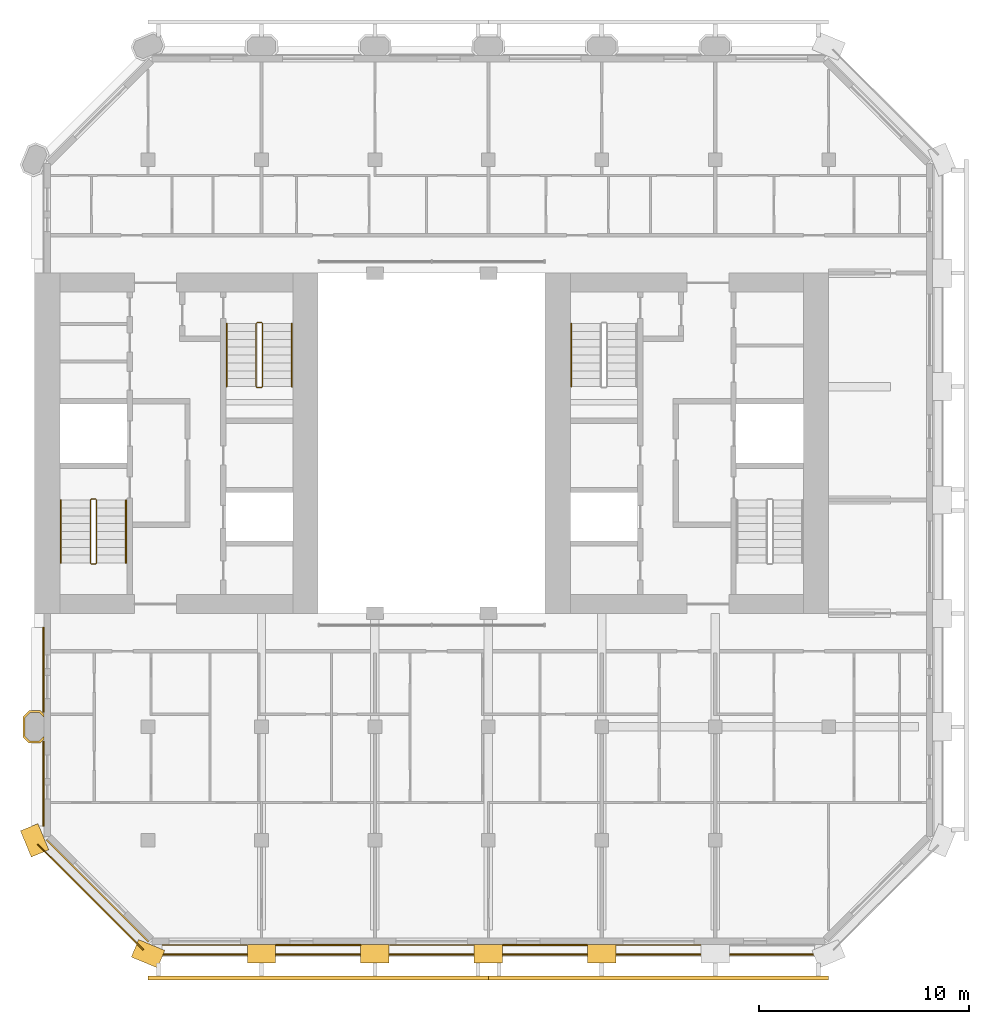
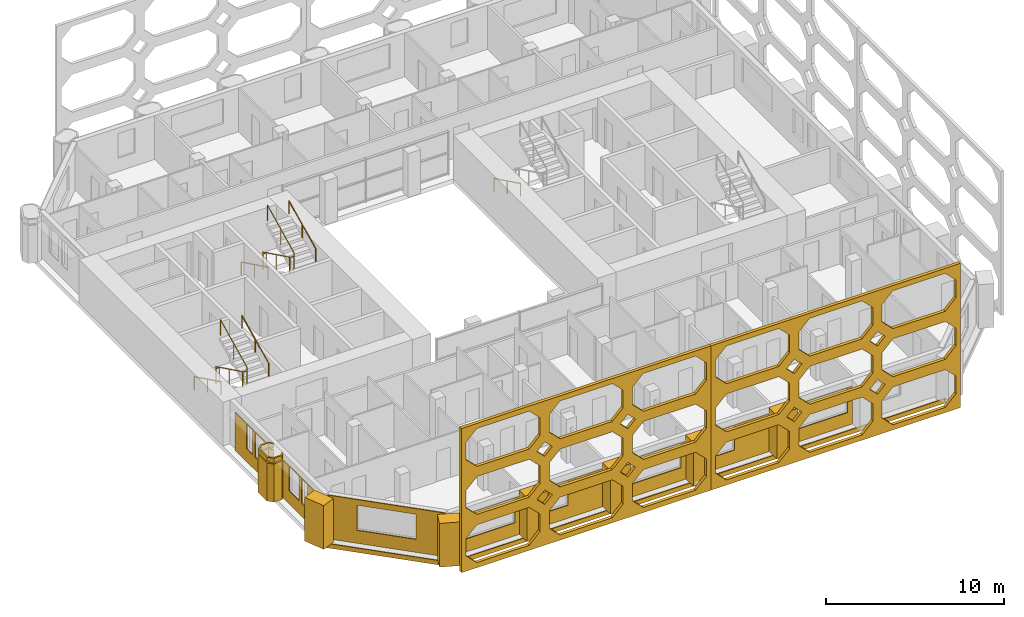
# One storey, part 13 of 15: 20 coverings, 7 railings.
"""IFC4 building model written with IfcOpenShell, lengths in metres."""

from ifc_helpers import new_model, si_unit, direction, frame, frame_2d, origin, origin_2d, place, context, subcontext, project, spatial, polyline, rectangle, circle, outline, extrude, material, layer, layer_set, type_object, element, save


model = new_model("IFC4")

# Units and contexts
model_context = context("Model", 3, precision=1e-05, world=origin(), true_north=direction((0.0, 1.0)))
body_context = subcontext(model_context, "Body", "Model", "MODEL_VIEW")
ifc_project = project(units=[si_unit("LENGTHUNIT", "METRE"), si_unit("AREAUNIT", "SQUARE_METRE"), si_unit("VOLUMEUNIT", "CUBIC_METRE"), si_unit("PLANEANGLEUNIT", "RADIAN"), si_unit("MASSUNIT", "GRAM", prefix="KILO")], contexts=[model_context])

# Site, building, storey
site_placement = place(None, origin())
site = spatial("IfcSite", under=ifc_project, at=site_placement, CompositionType="ELEMENT")
building_placement = place(site_placement, origin())
building = spatial("IfcBuilding", under=site, at=building_placement, Name="Tabaq Tower and Sports Hall", CompositionType="ELEMENT")
storey_placement = place(building_placement, frame((0.0, 0.0, 278.5)))
storey = spatial("IfcBuildingStorey", under=building, at=storey_placement, Name="L68", CompositionType="ELEMENT", Elevation=278.5)

# Coverings
ifc_material_1 = material(Name="Precast concrete C60/75", Category="concrete")
ifc_layer_1 = layer(ifc_material_1, 0.10009765625)
ifc_layer_set_1 = layer_set([ifc_layer_1], Name="Column cladding 100")
covering_type_1 = type_object("IfcCoveringType", Name="Column cladding 100", PredefinedType="CLADDING", material=ifc_layer_set_1)
covering_1_placement = place(storey_placement, origin())
element("IfcCovering", 1, at=covering_1_placement, inside=storey, type_object=covering_type_1, Name="Column cladding L68 PC-2C-R1", PredefinedType="CLADDING", context=body_context, shape_type="SweptSolid", body=[
    extrude(outline(polyline([(5.1337890625, 10.025390625), (4.850341796875, 10.30859375), (4.850341796875, 11.291259765625), (5.1337890625, 11.57470703125), (5.666259765625, 11.57470703125), (5.849609375, 11.391357421875), (5.849609375, 11.250732421875), (5.625244140625, 11.475341796875), (5.1748046875, 11.475341796875), (4.94970703125, 11.250244140625), (4.94970703125, 10.349853515625), (5.1748046875, 10.124755859375), (5.625244140625, 10.124755859375), (5.849609375, 10.349365234375), (5.849609375, 10.208740234375), (5.666259765625, 10.025390625), (5.1337890625, 10.025390625)])), origin(), (0.0, 0.0, 1.0), 2.60009765625),
])
covering_2_placement = place(storey_placement, frame((0.0, 0.0, 2.699951171875)))
element("IfcCovering", 2, at=covering_2_placement, inside=storey, type_object=covering_type_1, Name="Column cladding L68 PC-2C-R1 2", PredefinedType="CLADDING", context=body_context, shape_type="SweptSolid", body=[
    extrude(outline(polyline([(5.1337890625, 10.025390625), (4.850341796875, 10.30859375), (4.850341796875, 11.291259765625), (5.1337890625, 11.57470703125), (5.666259765625, 11.57470703125), (5.849609375, 11.391357421875), (5.849609375, 11.250732421875), (5.625244140625, 11.475341796875), (5.1748046875, 11.475341796875), (4.94970703125, 11.250244140625), (4.94970703125, 10.349853515625), (5.1748046875, 10.124755859375), (5.625244140625, 10.124755859375), (5.849609375, 10.349365234375), (5.849609375, 10.208740234375), (5.666259765625, 10.025390625), (5.1337890625, 10.025390625)])), origin(), (0.0, 0.0, 1.0), 0.300048828125),
])
ifc_material_2 = material(Name="Precast concrete C60/75", Category="concrete")
ifc_layer_2 = layer(ifc_material_2, 0.06005859375)
ifc_layer_set_2 = layer_set([ifc_layer_2], Name="Edge beam cladding 60")
covering_type_2 = type_object("IfcCoveringType", Name="Edge beam cladding 60", PredefinedType="CLADDING", material=ifc_layer_set_2)
covering_3_placement = place(storey_placement, frame((11.0986328125, -0.030029296875, -0.300048828125), z_axis=(0.0, 0.0, 1.0), x_axis=(1.0, 0.0, 0.0)))
element("IfcCovering", 3, at=covering_3_placement, inside=storey, type_object=covering_type_2, Name="Edge beam cladding L68 1", PredefinedType="CLADDING", context=body_context, shape_type="SweptSolid", body=[
    extrude(rectangle(XDim=31.802734375, YDim=0.06005859375, at=frame_2d((15.9013671875, 0.0))), origin(), (0.0, 0.0, 1.0), 0.300048828125),
])
covering_4_placement = place(storey_placement, frame((5.5556640625, 5.201904296875, -0.300048828125), z_axis=(0.0, 0.0, 1.0), x_axis=(0.707106781187, -0.707106781187, 0.0)))
element("IfcCovering", 4, at=covering_4_placement, inside=storey, type_object=covering_type_2, Name="Edge beam cladding L68 5", PredefinedType="CLADDING", context=body_context, shape_type="SweptSolid", body=[
    extrude(rectangle(XDim=7.087890625, YDim=0.06005859375, at=frame_2d((3.5439453125, 0.0))), origin(), (0.0, 0.0, 1.0), 0.300048828125),
])
ifc_material_3 = material(Name="White precast concrete C60/75", Category="concrete")
covering_type_3 = type_object("IfcCoveringType", Name="Pier cladding hung 1350x900", PredefinedType="CLADDING", material=ifc_material_3)
for number, where, z_axis, x_axis, name in (
    (5, (5.1416015625, 6.023681640625, 0.0), (0.0, 0.0, 1.0), (0.382649923473, -0.923893411637, 0.0), "Hung pier cladding 1/1"),
    (6, (10.17626953125, 0.25830078125, 0.0), (0.0, 0.0, 1.0), (0.923893411637, -0.382649923473, 0.0), "Hung pier cladding 2/0"),
    (7, (15.52490234375, 0.0, 0.0), (0.0, 0.0, 1.0), (1.0, 0.0, 0.0), "Hung pier cladding 3/0"),
):
    element("IfcCovering", number, at=place(storey_placement, frame(where, z_axis=z_axis, x_axis=x_axis)), inside=storey, type_object=covering_type_3, Name=name, PredefinedType="CLADDING", context=body_context, shape_type="SweptSolid", body=[
        extrude(rectangle(XDim=1.35009765625, YDim=0.89990234375, at=frame_2d((0.675048828125, 0.0))), origin(), (0.0, 0.0, 1.0), 3.0),
    ])
covering_5_placement = place(storey_placement, frame((20.925048828125, 0.0, 0.0), z_axis=(0.0, 0.0, 1.0), x_axis=(1.0, 0.0, 0.0)))
element("IfcCovering", 8, at=covering_5_placement, inside=storey, type_object=covering_type_3, Name="Hung pier cladding 4/0", PredefinedType="CLADDING", context=body_context, shape_type="SweptSolid", body=[
    extrude(rectangle(XDim=1.349853515625, YDim=0.89990234375, at=frame_2d((0.6748046875, 0.0))), origin(), (0.0, 0.0, 1.0), 3.0),
])
covering_6_placement = place(storey_placement, frame((26.324951171875, 0.0, 0.0), z_axis=(0.0, 0.0, 1.0), x_axis=(1.0, 0.0, 0.0)))
element("IfcCovering", 9, at=covering_6_placement, inside=storey, type_object=covering_type_3, Name="Hung pier cladding 5/0", PredefinedType="CLADDING", context=body_context, shape_type="SweptSolid", body=[
    extrude(rectangle(XDim=1.35009765625, YDim=0.89990234375, at=frame_2d((0.675048828125, 0.0))), origin(), (0.0, 0.0, 1.0), 3.0),
])
covering_7_placement = place(storey_placement, frame((31.72509765625, 0.0, 0.0), z_axis=(0.0, 0.0, 1.0), x_axis=(1.0, 0.0, 0.0)))
element("IfcCovering", 10, at=covering_7_placement, inside=storey, type_object=covering_type_3, Name="Hung pier cladding 6/0", PredefinedType="CLADDING", context=body_context, shape_type="SweptSolid", body=[
    extrude(rectangle(XDim=1.349853515625, YDim=0.89990234375, at=frame_2d((0.6748046875, 0.0))), origin(), (0.0, 0.0, 1.0), 3.0),
])

# Railings
ifc_material_4 = material(Name="Stainless steel", Category="steel")
railing_type_1 = type_object("IfcRailingType", Name="Stair guard", PredefinedType="GUARDRAIL", material=ifc_material_4)
railing_1_placement = place(storey_placement, frame((8.300048828125, 21.64990234375, 0.0)))
element("IfcRailing", 11, at=railing_1_placement, inside=storey, type_object=railing_type_1, Name="L68 ST1 stair guard 1", PredefinedType="GUARDRAIL", context=body_context, shape_type="SweptSolid", body=[
    extrude(circle(Radius=0.02392578125, at=origin_2d()), frame((0.0, 0.0, 1.076171875), z_axis=(-1.0, 0.0, 0.0), x_axis=(0.0, -1.0, 0.0)), (0.0, 0.0, 1.0), 0.199951171875),
    extrude(circle(Radius=0.02392578125, at=origin_2d()), frame((-0.199951171875, 0.0, 1.076171875), z_axis=(-0.254733673405, -0.25349107012, 0.933195066962), x_axis=(0.705375805398, -0.708833529934, 0.0)), (0.0, 0.0, 1.0), 0.196533203125),
    extrude(circle(Radius=0.02392578125, at=origin_2d()), frame((-0.25, -0.0498046875, 1.25927734375), z_axis=(0.0, -0.898397823093, 0.439182594671), x_axis=(1.0, 0.0, 0.0)), (0.0, 0.0, 1.0), 3.33935546875),
    extrude(circle(Radius=0.02392578125, at=origin_2d()), frame((-0.25, -3.0498046875, 2.72607421875), z_axis=(0.707106781187, -0.707106781187, 0.0), x_axis=(0.707106781187, 0.707106781187, 0.0)), (0.0, 0.0, 1.0), 0.07080078125),
    extrude(circle(Radius=0.02392578125, at=origin_2d()), frame((-0.199951171875, -3.099853515625, 2.72607421875), z_axis=(1.0, 0.0, 0.0), x_axis=(0.0, 1.0, 0.0)), (0.0, 0.0, 1.0), 0.199951171875),
    extrude(circle(Radius=0.02392578125, at=origin_2d()), frame((0.0, -3.099853515625, 2.72607421875), z_axis=(0.254653276557, 0.254653276557, 0.932900539971), x_axis=(-0.707106781187, 0.707106781187, 0.0)), (0.0, 0.0, 1.0), 0.196533203125),
    extrude(circle(Radius=0.02392578125, at=origin_2d()), frame((0.050048828125, -3.0498046875, 2.9091796875), z_axis=(0.0, 0.898368975038, 0.439241601728), x_axis=(-1.0, 0.0, 0.0)), (0.0, 0.0, 1.0), 3.33935546875),
    extrude(circle(Radius=0.02099609375, at=origin_2d()), origin(), (0.0, 0.0, 1.0), 1.052001953125),
    extrude(circle(Radius=0.02099609375, at=origin_2d()), frame((-0.199951171875, 0.0, 0.0)), (0.0, 0.0, 1.0), 1.052001953125),
    extrude(circle(Radius=0.02099609375, at=origin_2d()), frame((-0.25, -0.0498046875, 0.183349609375)), (0.0, 0.0, 1.0), 1.052001953125),
    extrude(circle(Radius=0.02099609375, at=origin_2d()), frame((-0.25, -1.5498046875, 0.91650390625)), (0.0, 0.0, 1.0), 1.052001953125),
    extrude(circle(Radius=0.02099609375, at=origin_2d()), frame((-0.25, -3.0498046875, 1.64990234375)), (0.0, 0.0, 1.0), 1.052001953125),
    extrude(circle(Radius=0.02099609375, at=origin_2d()), frame((-0.199951171875, -3.099853515625, 1.64990234375)), (0.0, 0.0, 1.0), 1.052001953125),
    extrude(circle(Radius=0.02099609375, at=origin_2d()), frame((0.0, -3.099853515625, 1.64990234375)), (0.0, 0.0, 1.0), 1.052001953125),
    extrude(circle(Radius=0.02099609375, at=origin_2d()), frame((0.050048828125, -3.0498046875, 1.833251953125)), (0.0, 0.0, 1.0), 1.052001953125),
    extrude(circle(Radius=0.02099609375, at=origin_2d()), frame((0.050048828125, -1.5498046875, 2.566650390625)), (0.0, 0.0, 1.0), 1.052001953125),
    extrude(circle(Radius=0.02099609375, at=origin_2d()), frame((0.050048828125, -0.0498046875, 3.300048828125)), (0.0, 0.0, 1.0), 1.052001953125),
])
railing_2_placement = place(storey_placement, frame((16.199951171875, 30.050048828125, 0.0)))
element("IfcRailing", 12, at=railing_2_placement, inside=storey, type_object=railing_type_1, Name="L68 ST2 stair guard 1", PredefinedType="GUARDRAIL", context=body_context, shape_type="SweptSolid", body=[
    extrude(circle(Radius=0.02392578125, at=origin_2d()), frame((0.0, 0.0, 1.076171875), z_axis=(-1.0, 0.0, 0.0), x_axis=(0.0, -1.0, 0.0)), (0.0, 0.0, 1.0), 0.199951171875),
    extrude(circle(Radius=0.02392578125, at=origin_2d()), frame((-0.199951171875, 0.0, 1.076171875), z_axis=(-0.254653276557, -0.254653276557, 0.932900539971), x_axis=(0.707106781187, -0.707106781187, 0.0)), (0.0, 0.0, 1.0), 0.196533203125),
    extrude(circle(Radius=0.02392578125, at=origin_2d()), frame((-0.25, -0.050048828125, 1.25927734375), z_axis=(0.0, -0.898397823093, 0.439182594671), x_axis=(1.0, 0.0, 0.0)), (0.0, 0.0, 1.0), 3.33935546875),
    extrude(circle(Radius=0.02392578125, at=origin_2d()), frame((-0.25, -3.050048828125, 2.72607421875), z_axis=(0.707106781187, -0.707106781187, 0.0), x_axis=(0.707106781187, 0.707106781187, 0.0)), (0.0, 0.0, 1.0), 0.07080078125),
    extrude(circle(Radius=0.02392578125, at=origin_2d()), frame((-0.199951171875, -3.10009765625, 2.72607421875), z_axis=(1.0, 0.0, 0.0), x_axis=(0.0, 1.0, 0.0)), (0.0, 0.0, 1.0), 0.199951171875),
    extrude(circle(Radius=0.02392578125, at=origin_2d()), frame((0.0, -3.10009765625, 2.72607421875), z_axis=(0.254653276557, 0.254653276557, 0.932900539971), x_axis=(-0.707106781187, 0.707106781187, 0.0)), (0.0, 0.0, 1.0), 0.196533203125),
    extrude(circle(Radius=0.02392578125, at=origin_2d()), frame((0.050048828125, -3.050048828125, 2.9091796875), z_axis=(0.0, 0.898368975038, 0.439241601728), x_axis=(-1.0, 0.0, 0.0)), (0.0, 0.0, 1.0), 3.33935546875),
    extrude(circle(Radius=0.02099609375, at=origin_2d()), origin(), (0.0, 0.0, 1.0), 1.052001953125),
    extrude(circle(Radius=0.02099609375, at=origin_2d()), frame((-0.199951171875, 0.0, 0.0)), (0.0, 0.0, 1.0), 1.052001953125),
    extrude(circle(Radius=0.02099609375, at=origin_2d()), frame((-0.25, -0.050048828125, 0.183349609375)), (0.0, 0.0, 1.0), 1.052001953125),
    extrude(circle(Radius=0.02099609375, at=origin_2d()), frame((-0.25, -1.550048828125, 0.91650390625)), (0.0, 0.0, 1.0), 1.052001953125),
    extrude(circle(Radius=0.02099609375, at=origin_2d()), frame((-0.25, -3.050048828125, 1.64990234375)), (0.0, 0.0, 1.0), 1.052001953125),
    extrude(circle(Radius=0.02099609375, at=origin_2d()), frame((-0.199951171875, -3.10009765625, 1.64990234375)), (0.0, 0.0, 1.0), 1.052001953125),
    extrude(circle(Radius=0.02099609375, at=origin_2d()), frame((0.0, -3.10009765625, 1.64990234375)), (0.0, 0.0, 1.0), 1.052001953125),
    extrude(circle(Radius=0.02099609375, at=origin_2d()), frame((0.050048828125, -3.050048828125, 1.833251953125)), (0.0, 0.0, 1.0), 1.052001953125),
    extrude(circle(Radius=0.02099609375, at=origin_2d()), frame((0.050048828125, -1.550048828125, 2.566650390625)), (0.0, 0.0, 1.0), 1.052001953125),
    extrude(circle(Radius=0.02099609375, at=origin_2d()), frame((0.050048828125, -0.050048828125, 3.300048828125)), (0.0, 0.0, 1.0), 1.052001953125),
])
ifc_material_5 = material(Name="Stainless steel", Category="steel")
railing_type_2 = type_object("IfcRailingType", Name="Stair handrail", PredefinedType="HANDRAIL", material=ifc_material_5)
railing_3_placement = place(storey_placement, frame((6.64990234375, 21.60009765625, 0.183349609375)))
element("IfcRailing", 13, at=railing_3_placement, inside=storey, type_object=railing_type_2, Name="L68 ST1 stair handrail 1", PredefinedType="HANDRAIL", context=body_context, shape_type="SweptSolid", body=[
    extrude(circle(Radius=0.02392578125, at=origin_2d()), frame((0.0, 0.0, 0.8759765625), z_axis=(0.0, -0.898397823093, 0.439182594671), x_axis=(1.0, 0.0, 0.0)), (0.0, 0.0, 1.0), 3.33935546875),
    extrude(circle(Radius=0.02099609375, at=origin_2d()), origin(), (0.0, 0.0, 1.0), 0.851806640625),
    extrude(circle(Radius=0.02099609375, at=origin_2d()), frame((0.0, -1.5, 0.7333984375)), (0.0, 0.0, 1.0), 0.851806640625),
    extrude(circle(Radius=0.02099609375, at=origin_2d()), frame((0.0, -3.0, 1.466552734375)), (0.0, 0.0, 1.0), 0.851806640625),
])
railing_4_placement = place(storey_placement, frame((9.75, 18.60009765625, 1.833251953125)))
element("IfcRailing", 14, at=railing_4_placement, inside=storey, type_object=railing_type_2, Name="L68 ST1 stair handrail 2", PredefinedType="HANDRAIL", context=body_context, shape_type="SweptSolid", body=[
    extrude(circle(Radius=0.02392578125, at=origin_2d()), frame((0.0, 0.0, 0.8759765625), z_axis=(0.0, 0.898368975038, 0.439241601728), x_axis=(-1.0, 0.0, 0.0)), (0.0, 0.0, 1.0), 3.33935546875),
    extrude(circle(Radius=0.02099609375, at=origin_2d()), origin(), (0.0, 0.0, 1.0), 0.851806640625),
    extrude(circle(Radius=0.02099609375, at=origin_2d()), frame((0.0, 1.5, 0.7333984375)), (0.0, 0.0, 1.0), 0.851806640625),
    extrude(circle(Radius=0.02099609375, at=origin_2d()), frame((0.0, 3.0, 1.466796875)), (0.0, 0.0, 1.0), 0.851806640625),
])
railing_5_placement = place(storey_placement, frame((14.550048828125, 30.0, 0.183349609375)))
element("IfcRailing", 15, at=railing_5_placement, inside=storey, type_object=railing_type_2, Name="L68 ST2 stair handrail 1", PredefinedType="HANDRAIL", context=body_context, shape_type="SweptSolid", body=[
    extrude(circle(Radius=0.02392578125, at=origin_2d()), frame((0.0, 0.0, 0.8759765625), z_axis=(0.0, -0.898397823093, 0.439182594671), x_axis=(1.0, 0.0, 0.0)), (0.0, 0.0, 1.0), 3.33935546875),
    extrude(circle(Radius=0.02099609375, at=origin_2d()), origin(), (0.0, 0.0, 1.0), 0.851806640625),
    extrude(circle(Radius=0.02099609375, at=origin_2d()), frame((0.0, -1.5, 0.7333984375)), (0.0, 0.0, 1.0), 0.851806640625),
    extrude(circle(Radius=0.02099609375, at=origin_2d()), frame((0.0, -3.0, 1.466552734375)), (0.0, 0.0, 1.0), 0.851806640625),
])
railing_6_placement = place(storey_placement, frame((17.64990234375, 27.0, 1.833251953125)))
element("IfcRailing", 16, at=railing_6_placement, inside=storey, type_object=railing_type_2, Name="L68 ST2 stair handrail 2", PredefinedType="HANDRAIL", context=body_context, shape_type="SweptSolid", body=[
    extrude(circle(Radius=0.02392578125, at=origin_2d()), frame((0.0, 0.0, 0.8759765625), z_axis=(0.0, 0.898368975038, 0.439241601728), x_axis=(-1.0, 0.0, 0.0)), (0.0, 0.0, 1.0), 3.33935546875),
    extrude(circle(Radius=0.02099609375, at=origin_2d()), origin(), (0.0, 0.0, 1.0), 0.851806640625),
    extrude(circle(Radius=0.02099609375, at=origin_2d()), frame((0.0, 1.5, 0.7333984375)), (0.0, 0.0, 1.0), 0.851806640625),
    extrude(circle(Radius=0.02099609375, at=origin_2d()), frame((0.0, 3.0, 1.466796875)), (0.0, 0.0, 1.0), 0.851806640625),
])
railing_7_placement = place(storey_placement, frame((30.949951171875, 30.0, 0.183349609375)))
element("IfcRailing", 17, at=railing_7_placement, inside=storey, type_object=railing_type_2, Name="L68 ST4 stair handrail 1", PredefinedType="HANDRAIL", context=body_context, shape_type="SweptSolid", body=[
    extrude(circle(Radius=0.02392578125, at=origin_2d()), frame((0.0, 0.0, 0.8759765625), z_axis=(0.0, -0.898397823093, 0.439182594671), x_axis=(1.0, 0.0, 0.0)), (0.0, 0.0, 1.0), 3.33935546875),
    extrude(circle(Radius=0.02099609375, at=origin_2d()), origin(), (0.0, 0.0, 1.0), 0.851806640625),
    extrude(circle(Radius=0.02099609375, at=origin_2d()), frame((0.0, -1.5, 0.7333984375)), (0.0, 0.0, 1.0), 0.851806640625),
    extrude(circle(Radius=0.02099609375, at=origin_2d()), frame((0.0, -3.0, 1.466552734375)), (0.0, 0.0, 1.0), 0.851806640625),
])

# Coverings
ifc_material_6 = material(Name="White precast concrete C60/75 pierced screen", Category="concrete")
ifc_layer_3 = layer(ifc_material_6, 0.199951171875)
ifc_layer_set_3 = layer_set([ifc_layer_3], Name="TRACERY SCREEN 200 C60/75")
covering_type_4 = type_object("IfcCoveringType", Name="TRACERY SCREEN 200 C60/75", PredefinedType="CLADDING", material=ifc_layer_set_3)
covering_8_placement = place(storey_placement, frame((10.800048828125, -1.14990234375, 0.0), z_axis=(0.0, 0.0, 1.0), x_axis=(1.0, 0.0, 0.0)))
element("IfcCovering", 18, at=covering_8_placement, inside=storey, type_object=covering_type_4, Name="Tracery screen R1 S L68-L70", PredefinedType="CLADDING", context=body_context, shape_type="SweptSolid", body=[
    extrude(outline(polyline([(0.0, 0.0), (16.199951171875, 0.0), (16.199951171875, 9.89990234375), (0.0, 9.89990234375), (0.0, 0.0)]), holes=[polyline([(1.0, 0.35009765625), (4.39990234375, 0.35009765625), (5.10009765625, 1.050048828125), (5.10009765625, 2.25), (4.39990234375, 2.949951171875), (1.0, 2.949951171875), (0.300048828125, 2.25), (0.300048828125, 1.050048828125), (1.0, 0.35009765625)]), polyline([(6.39990234375, 0.35009765625), (9.800048828125, 0.35009765625), (10.5, 1.050048828125), (10.5, 2.25), (9.800048828125, 2.949951171875), (6.39990234375, 2.949951171875), (5.699951171875, 2.25), (5.699951171875, 1.050048828125), (6.39990234375, 0.35009765625)]), polyline([(11.800048828125, 0.35009765625), (15.199951171875, 0.35009765625), (15.89990234375, 1.050048828125), (15.89990234375, 2.25), (15.199951171875, 2.949951171875), (11.800048828125, 2.949951171875), (11.10009765625, 2.25), (11.10009765625, 1.050048828125), (11.800048828125, 0.35009765625)]), polyline([(1.0, 3.64990234375), (4.39990234375, 3.64990234375), (5.10009765625, 4.35009765625), (5.10009765625, 5.550048828125), (4.39990234375, 6.25), (1.0, 6.25), (0.300048828125, 5.550048828125), (0.300048828125, 4.35009765625), (1.0, 3.64990234375)]), polyline([(6.39990234375, 3.64990234375), (9.800048828125, 3.64990234375), (10.5, 4.35009765625), (10.5, 5.550048828125), (9.800048828125, 6.25), (6.39990234375, 6.25), (5.699951171875, 5.550048828125), (5.699951171875, 4.35009765625), (6.39990234375, 3.64990234375)]), polyline([(11.800048828125, 3.64990234375), (15.199951171875, 3.64990234375), (15.89990234375, 4.35009765625), (15.89990234375, 5.550048828125), (15.199951171875, 6.25), (11.800048828125, 6.25), (11.10009765625, 5.550048828125), (11.10009765625, 4.35009765625), (11.800048828125, 3.64990234375)]), polyline([(1.0, 6.949951171875), (4.39990234375, 6.949951171875), (5.10009765625, 7.64990234375), (5.10009765625, 8.85009765625), (4.39990234375, 9.550048828125), (1.0, 9.550048828125), (0.300048828125, 8.85009765625), (0.300048828125, 7.64990234375), (1.0, 6.949951171875)]), polyline([(6.39990234375, 6.949951171875), (9.800048828125, 6.949951171875), (10.5, 7.64990234375), (10.5, 8.85009765625), (9.800048828125, 9.550048828125), (6.39990234375, 9.550048828125), (5.699951171875, 8.85009765625), (5.699951171875, 7.64990234375), (6.39990234375, 6.949951171875)]), polyline([(11.800048828125, 6.949951171875), (15.199951171875, 6.949951171875), (15.89990234375, 7.64990234375), (15.89990234375, 8.85009765625), (15.199951171875, 9.550048828125), (11.800048828125, 9.550048828125), (11.10009765625, 8.85009765625), (11.10009765625, 7.64990234375), (11.800048828125, 6.949951171875)]), polyline([(5.89990234375, 3.300048828125), (5.39990234375, 3.800048828125), (4.89990234375, 3.300048828125), (5.39990234375, 2.800048828125), (5.89990234375, 3.300048828125)]), polyline([(11.300048828125, 3.300048828125), (10.800048828125, 3.800048828125), (10.300048828125, 3.300048828125), (10.800048828125, 2.800048828125), (11.300048828125, 3.300048828125)]), polyline([(5.89990234375, 6.60009765625), (5.39990234375, 7.10009765625), (4.89990234375, 6.60009765625), (5.39990234375, 6.10009765625), (5.89990234375, 6.60009765625)]), polyline([(11.300048828125, 6.60009765625), (10.800048828125, 7.10009765625), (10.300048828125, 6.60009765625), (10.800048828125, 6.10009765625), (11.300048828125, 6.60009765625)])]), frame((0.0, 0.10009765625, 0.0), z_axis=(0.0, -1.0, 0.0), x_axis=(1.0, 0.0, 0.0)), (0.0, 0.0, 1.0), 0.199951171875),
])
covering_9_placement = place(storey_placement, frame((27.0, -1.14990234375, 0.0), z_axis=(0.0, 0.0, 1.0), x_axis=(1.0, 0.0, 0.0)))
element("IfcCovering", 19, at=covering_9_placement, inside=storey, type_object=covering_type_4, Name="Tracery screen R1 S L68-L70", PredefinedType="CLADDING", context=body_context, shape_type="SweptSolid", body=[
    extrude(outline(polyline([(0.0, 0.0), (16.199951171875, 0.0), (16.199951171875, 9.89990234375), (0.0, 9.89990234375), (0.0, 0.0)]), holes=[polyline([(1.0, 0.35009765625), (4.39990234375, 0.35009765625), (5.10009765625, 1.050048828125), (5.10009765625, 2.25), (4.39990234375, 2.949951171875), (1.0, 2.949951171875), (0.300048828125, 2.25), (0.300048828125, 1.050048828125), (1.0, 0.35009765625)]), polyline([(6.39990234375, 0.35009765625), (9.800048828125, 0.35009765625), (10.5, 1.050048828125), (10.5, 2.25), (9.800048828125, 2.949951171875), (6.39990234375, 2.949951171875), (5.699951171875, 2.25), (5.699951171875, 1.050048828125), (6.39990234375, 0.35009765625)]), polyline([(11.800048828125, 0.35009765625), (15.199951171875, 0.35009765625), (15.89990234375, 1.050048828125), (15.89990234375, 2.25), (15.199951171875, 2.949951171875), (11.800048828125, 2.949951171875), (11.10009765625, 2.25), (11.10009765625, 1.050048828125), (11.800048828125, 0.35009765625)]), polyline([(1.0, 3.64990234375), (4.39990234375, 3.64990234375), (5.10009765625, 4.35009765625), (5.10009765625, 5.550048828125), (4.39990234375, 6.25), (1.0, 6.25), (0.300048828125, 5.550048828125), (0.300048828125, 4.35009765625), (1.0, 3.64990234375)]), polyline([(6.39990234375, 3.64990234375), (9.800048828125, 3.64990234375), (10.5, 4.35009765625), (10.5, 5.550048828125), (9.800048828125, 6.25), (6.39990234375, 6.25), (5.699951171875, 5.550048828125), (5.699951171875, 4.35009765625), (6.39990234375, 3.64990234375)]), polyline([(11.800048828125, 3.64990234375), (15.199951171875, 3.64990234375), (15.89990234375, 4.35009765625), (15.89990234375, 5.550048828125), (15.199951171875, 6.25), (11.800048828125, 6.25), (11.10009765625, 5.550048828125), (11.10009765625, 4.35009765625), (11.800048828125, 3.64990234375)]), polyline([(1.0, 6.949951171875), (4.39990234375, 6.949951171875), (5.10009765625, 7.64990234375), (5.10009765625, 8.85009765625), (4.39990234375, 9.550048828125), (1.0, 9.550048828125), (0.300048828125, 8.85009765625), (0.300048828125, 7.64990234375), (1.0, 6.949951171875)]), polyline([(6.39990234375, 6.949951171875), (9.800048828125, 6.949951171875), (10.5, 7.64990234375), (10.5, 8.85009765625), (9.800048828125, 9.550048828125), (6.39990234375, 9.550048828125), (5.699951171875, 8.85009765625), (5.699951171875, 7.64990234375), (6.39990234375, 6.949951171875)]), polyline([(11.800048828125, 6.949951171875), (15.199951171875, 6.949951171875), (15.89990234375, 7.64990234375), (15.89990234375, 8.85009765625), (15.199951171875, 9.550048828125), (11.800048828125, 9.550048828125), (11.10009765625, 8.85009765625), (11.10009765625, 7.64990234375), (11.800048828125, 6.949951171875)]), polyline([(5.89990234375, 3.300048828125), (5.39990234375, 3.800048828125), (4.89990234375, 3.300048828125), (5.39990234375, 2.800048828125), (5.89990234375, 3.300048828125)]), polyline([(11.300048828125, 3.300048828125), (10.800048828125, 3.800048828125), (10.300048828125, 3.300048828125), (10.800048828125, 2.800048828125), (11.300048828125, 3.300048828125)]), polyline([(5.89990234375, 6.60009765625), (5.39990234375, 7.10009765625), (4.89990234375, 6.60009765625), (5.39990234375, 6.10009765625), (5.89990234375, 6.60009765625)]), polyline([(11.300048828125, 6.60009765625), (10.800048828125, 7.10009765625), (10.300048828125, 6.60009765625), (10.800048828125, 6.10009765625), (11.300048828125, 6.60009765625)])]), frame((0.0, 0.10009765625, 0.0), z_axis=(0.0, -1.0, 0.0), x_axis=(1.0, 0.0, 0.0)), (0.0, 0.0, 1.0), 0.199951171875),
])
ifc_material_7 = material(Name="Precast concrete C60/75", Category="concrete")
ifc_layer_4 = layer(ifc_material_7, 0.06005859375)
ifc_layer_set_4 = layer_set([ifc_layer_4], Name="White precast cladding panel 60 C60/75")
covering_type_5 = type_object("IfcCoveringType", Name="White precast cladding panel 60 C60/75", PredefinedType="CLADDING", material=ifc_layer_set_4)
covering_10_placement = place(storey_placement, frame((11.465087890625, 0.419921875, 0.0), z_axis=(0.0, 0.0, 1.0), x_axis=(1.0, 0.0, 0.0)))
element("IfcCovering", 20, at=covering_10_placement, inside=storey, type_object=covering_type_5, Name="White precast cladding panel L68 wall00", PredefinedType="CLADDING", context=body_context, shape_type="SweptSolid", body=[
    extrude(outline(polyline([(0.0, 0.0), (4.0498046875, 0.0), (4.0498046875, 2.590087890625), (0.0, 2.590087890625), (0.0, 0.0)]), holes=[polyline([(3.7451171875, 0.889892578125), (0.324951171875, 0.889892578125), (0.324951171875, 2.56005859375), (3.7451171875, 2.56005859375), (3.7451171875, 0.889892578125)])]), frame((0.0, 0.030029296875, 0.0), z_axis=(0.0, -1.0, 0.0), x_axis=(1.0, 0.0, 0.0)), (0.0, 0.0, 1.0), 0.06005859375),
])
covering_11_placement = place(storey_placement, frame((16.885009765625, 0.419921875, 0.0), z_axis=(0.0, 0.0, 1.0), x_axis=(1.0, 0.0, 0.0)))
element("IfcCovering", 21, at=covering_11_placement, inside=storey, type_object=covering_type_5, Name="White precast cladding panel L68 wall00 2", PredefinedType="CLADDING", context=body_context, shape_type="SweptSolid", body=[
    extrude(outline(polyline([(0.0, 0.0), (4.030029296875, 0.0), (4.030029296875, 2.590087890625), (0.0, 2.590087890625), (0.0, 0.0)]), holes=[polyline([(1.77490234375, 0.889892578125), (0.655029296875, 0.889892578125), (0.655029296875, 2.56005859375), (1.77490234375, 2.56005859375), (1.77490234375, 0.889892578125)])]), frame((0.0, 0.030029296875, 0.0), z_axis=(0.0, -1.0, 0.0), x_axis=(1.0, 0.0, 0.0)), (0.0, 0.0, 1.0), 0.06005859375),
])
covering_12_placement = place(storey_placement, frame((22.284912109375, 0.419921875, 0.0), z_axis=(0.0, 0.0, 1.0), x_axis=(1.0, 0.0, 0.0)))
element("IfcCovering", 22, at=covering_12_placement, inside=storey, type_object=covering_type_5, Name="White precast cladding panel L68 wall00 3", PredefinedType="CLADDING", context=body_context, shape_type="SweptSolid", body=[
    extrude(outline(polyline([(0.0, 0.0), (4.030029296875, 0.0), (4.030029296875, 2.590087890625), (0.0, 2.590087890625), (0.0, 0.0)]), holes=[polyline([(3.72509765625, 0.889892578125), (0.304931640625, 0.889892578125), (0.304931640625, 2.56005859375), (3.72509765625, 2.56005859375), (3.72509765625, 0.889892578125)])]), frame((0.0, 0.030029296875, 0.0), z_axis=(0.0, -1.0, 0.0), x_axis=(1.0, 0.0, 0.0)), (0.0, 0.0, 1.0), 0.06005859375),
])
covering_13_placement = place(storey_placement, frame((27.68505859375, 0.419921875, 0.0), z_axis=(0.0, 0.0, 1.0), x_axis=(1.0, 0.0, 0.0)))
element("IfcCovering", 23, at=covering_13_placement, inside=storey, type_object=covering_type_5, Name="White precast cladding panel L68 wall00 4", PredefinedType="CLADDING", context=body_context, shape_type="SweptSolid", body=[
    extrude(outline(polyline([(0.0, 0.0), (4.030029296875, 0.0), (4.030029296875, 2.590087890625), (0.0, 2.590087890625), (0.0, 0.0)]), holes=[polyline([(1.77490234375, 0.889892578125), (0.655029296875, 0.889892578125), (0.655029296875, 2.56005859375), (1.77490234375, 2.56005859375), (1.77490234375, 0.889892578125)])]), frame((0.0, 0.030029296875, 0.0), z_axis=(0.0, -1.0, 0.0), x_axis=(1.0, 0.0, 0.0)), (0.0, 0.0, 1.0), 0.06005859375),
])
covering_14_placement = place(storey_placement, frame((33.0849609375, 0.419921875, 0.0), z_axis=(0.0, 0.0, 1.0), x_axis=(1.0, 0.0, 0.0)))
element("IfcCovering", 24, at=covering_14_placement, inside=storey, type_object=covering_type_5, Name="White precast cladding panel L68 wall00 5", PredefinedType="CLADDING", context=body_context, shape_type="SweptSolid", body=[
    extrude(outline(polyline([(0.0, 0.0), (4.030029296875, 0.0), (4.030029296875, 2.590087890625), (0.0, 2.590087890625), (0.0, 0.0)]), holes=[polyline([(3.72509765625, 0.889892578125), (0.304931640625, 0.889892578125), (0.304931640625, 2.56005859375), (3.72509765625, 2.56005859375), (3.72509765625, 0.889892578125)])]), frame((0.0, 0.030029296875, 0.0), z_axis=(0.0, -1.0, 0.0), x_axis=(1.0, 0.0, 0.0)), (0.0, 0.0, 1.0), 0.06005859375),
])
covering_15_placement = place(storey_placement, frame((5.820068359375, 15.534912109375, 0.0), z_axis=(0.0, 0.0, 1.0), x_axis=(0.0, -1.0, 0.0)))
element("IfcCovering", 25, at=covering_15_placement, inside=storey, type_object=covering_type_5, Name="White precast cladding panel L68 wall06-1", PredefinedType="CLADDING", context=body_context, shape_type="SweptSolid", body=[
    extrude(outline(polyline([(0.0, 0.0), (4.0498046875, 0.0), (4.0498046875, 2.590087890625), (0.0, 2.590087890625), (0.0, 0.0)]), holes=[polyline([(1.300048828125, 0.889892578125), (1.300048828125, 2.56005859375), (1.969970703125, 2.56005859375), (1.969970703125, 0.889892578125), (1.300048828125, 0.889892578125)]), polyline([(2.27490234375, 0.889892578125), (2.27490234375, 2.56005859375), (3.39501953125, 2.56005859375), (3.39501953125, 0.889892578125), (2.27490234375, 0.889892578125)])]), frame((0.0, 0.030029296875, 0.0), z_axis=(0.0, -1.0, 0.0), x_axis=(1.0, 0.0, 0.0)), (0.0, 0.0, 1.0), 0.06005859375),
])
covering_16_placement = place(storey_placement, frame((5.820068359375, 10.114990234375, 0.0), z_axis=(0.0, 0.0, 1.0), x_axis=(0.0, -1.0, 0.0)))
element("IfcCovering", 26, at=covering_16_placement, inside=storey, type_object=covering_type_5, Name="White precast cladding panel L68 wall06-1 2", PredefinedType="CLADDING", context=body_context, shape_type="SweptSolid", body=[
    extrude(outline(polyline([(0.0, 0.0), (4.050048828125, 0.0), (4.050048828125, 2.590087890625), (0.0, 2.590087890625), (0.0, 0.0)]), holes=[polyline([(0.655029296875, 0.889892578125), (0.655029296875, 2.56005859375), (1.77490234375, 2.56005859375), (1.77490234375, 0.889892578125), (0.655029296875, 0.889892578125)]), polyline([(2.080078125, 0.889892578125), (2.080078125, 2.56005859375), (2.75, 2.56005859375), (2.75, 0.889892578125), (2.080078125, 0.889892578125)])]), frame((0.0, 0.030029296875, 0.0), z_axis=(0.0, -1.0, 0.0), x_axis=(1.0, 0.0, 0.0)), (0.0, 0.0, 1.0), 0.06005859375),
])
covering_17_placement = place(storey_placement, frame((5.9716796875, 5.42236328125, 0.0), z_axis=(0.0, 0.0, 1.0), x_axis=(0.707106781187, -0.707106781187, 0.0)))
element("IfcCovering", 27, at=covering_17_placement, inside=storey, type_object=covering_type_5, Name="White precast cladding panel L68 wall07", PredefinedType="CLADDING", context=body_context, shape_type="SweptSolid", body=[
    extrude(outline(polyline([(0.0, 0.0), (6.85986328125, 0.0), (6.85986328125, 3.0), (0.0, 3.0), (0.0, 0.0)]), holes=[polyline([(1.7197265625, 0.889892578125), (1.7197265625, 2.610107421875), (5.139892578125, 2.610107421875), (5.139892578125, 0.889892578125), (1.7197265625, 0.889892578125)])]), frame((0.0, 0.030029296875, 0.0), z_axis=(0.0, -1.0, 0.0), x_axis=(1.0, 0.0, 0.0)), (0.0, 0.0, 1.0), 0.06005859375),
])

save(model, "model.ifc")
